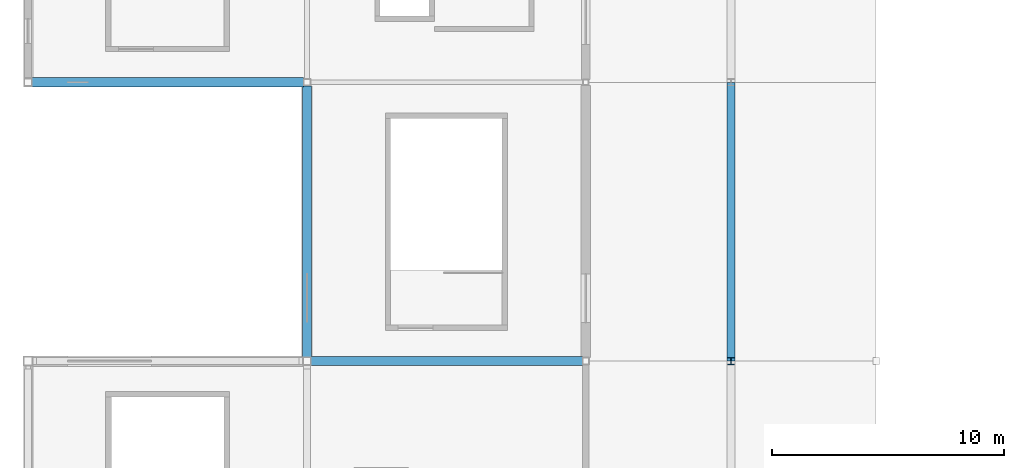
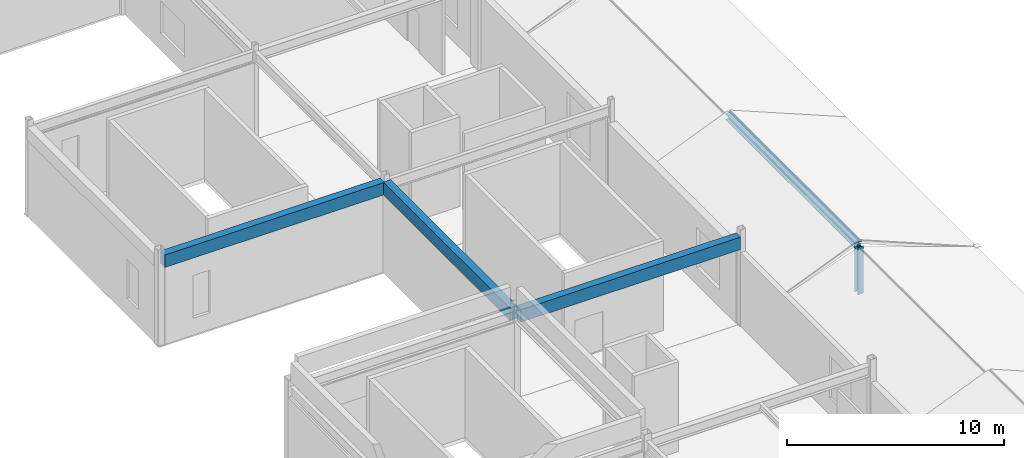
# One storey, part 31 of 76: 3 beams, 2 members.
"""IFC4 building model written with IfcOpenShell, lengths in metres."""

from ifc_helpers import new_model, si_unit, direction, frame, origin, origin_2d, place, context, subcontext, project, spatial, rectangle, i_section, extrude, material, material_profile, profile_set, type_object, element, save


model = new_model("IFC4")

# Units and contexts
model_context = context("Model", 3, precision=1e-05, world=origin(), true_north=direction((0.0, 1.0)))
body_context = subcontext(model_context, "Body", "Model", "MODEL_VIEW")
ifc_project = project(units=[si_unit("LENGTHUNIT", "METRE"), si_unit("AREAUNIT", "SQUARE_METRE"), si_unit("VOLUMEUNIT", "CUBIC_METRE"), si_unit("PLANEANGLEUNIT", "RADIAN"), si_unit("MASSUNIT", "GRAM", prefix="KILO")], contexts=[model_context])

# Site, building, storey
site_placement = place(None, origin())
site = spatial("IfcSite", under=ifc_project, at=site_placement, CompositionType="ELEMENT")
building_placement = place(site_placement, origin())
building = spatial("IfcBuilding", under=site, at=building_placement, Name="Kazenohara Klinker Stadium", CompositionType="ELEMENT")
storey_placement = place(building_placement, frame((0.0, 0.0, 25.800048828125)))
storey = spatial("IfcBuildingStorey", under=building, at=storey_placement, Name="L05", CompositionType="ELEMENT", Elevation=25.800048828125)

# Beams
ifc_material_1 = material(Name="Concrete C40/50", Category="concrete")
ifc_material_profile_1 = material_profile(ifc_material_1, rectangle(XDim=0.39990234375, YDim=0.699951171875, at=origin_2d()), Name="RC-BM-400x700")
ifc_profile_set_1 = profile_set([ifc_material_profile_1], Name="Concrete C40/50")
beam_type = type_object("IfcBeamType", Name="BM-RC04", PredefinedType="BEAM", material=ifc_profile_set_1)
for number, where, z_axis, x_axis, name in (
    (1, (0.175048828125, 108.0, 4.68994140625), (1.0, 0.0, 0.0), (0.0, 1.0, 0.0), "Primary girder BG04 L05 1-2/K"),
    (2, (12.175048828125, 96.0, 4.68994140625), (1.0, 0.0, 0.0), (0.0, 1.0, 0.0), "Primary girder BG04 L05 2-3/J"),
    (3, (12.0, 96.175048828125, 4.68994140625), (0.0, 1.0, 0.0), (-1.0, 0.0, 0.0), "Primary girder BG04 L05 2/J-K"),
):
    element("IfcBeam", number, at=place(storey_placement, frame(where, z_axis=z_axis, x_axis=x_axis)), inside=storey, type_object=beam_type, Name=name, PredefinedType="BEAM", context=body_context, shape_type="SweptSolid", body=[
        extrude(rectangle(XDim=0.39990234375, YDim=0.699951171875, at=origin_2d()), origin(), (0.0, 0.0, 1.0), 11.675048828125),
    ])

# Members
ifc_material_2 = material(Name="Steel S355", Category="steel")
ifc_material_profile_2 = material_profile(ifc_material_2, i_section(OverallWidth=0.35009765625, OverallDepth=0.35009765625, WebThickness=0.011962890625, FlangeThickness=0.01904296875, FilletRadius=0.012939453125, at=origin_2d()), Name="H-350x350x12x19")
ifc_profile_set_2 = profile_set([ifc_material_profile_2], Name="Steel S355")
member_type_1 = type_object("IfcMemberType", Name="MEM-CHD02", PredefinedType="CHORD", material=ifc_profile_set_2)
member_1_placement = place(storey_placement, frame((30.25, 96.0, 2.22998046875), z_axis=(0.0, 1.0, 0.0), x_axis=(-1.0, 0.0, 0.0)))
element("IfcMember", 4, at=member_1_placement, inside=storey, type_object=member_type_1, Name="Stepped pavilion gable ridge beam L05 3/J", PredefinedType="CHORD", context=body_context, shape_type="SweptSolid", body=[
    extrude(i_section(OverallWidth=0.35009765625, OverallDepth=0.35009765625, WebThickness=0.011962890625, FlangeThickness=0.01904296875, FilletRadius=0.012939453125, at=origin_2d()), origin(), (0.0, 0.0, 1.0), 12.0),
])
ifc_material_profile_3 = material_profile(ifc_material_2, i_section(OverallWidth=0.300048828125, OverallDepth=0.300048828125, WebThickness=0.010009765625, FlangeThickness=0.014892578125, FilletRadius=0.012939453125, at=origin_2d()), Name="H-300x300x10x15")
ifc_profile_set_3 = profile_set([ifc_material_profile_3], Name="Steel S355")
member_type_2 = type_object("IfcMemberType", Name="MEM-STR01", PredefinedType="STRUT", material=ifc_profile_set_3)
member_2_placement = place(storey_placement, frame((30.25, 96.0, -0.429931640625), z_axis=(0.0, 0.0, 1.0), x_axis=(1.0, 0.0, 0.0)))
element("IfcMember", 5, at=member_2_placement, inside=storey, type_object=member_type_2, Name="Stepped pavilion gable king-post L05 3/J S", PredefinedType="STRUT", context=body_context, shape_type="SweptSolid", body=[
    extrude(i_section(OverallWidth=0.300048828125, OverallDepth=0.300048828125, WebThickness=0.010009765625, FlangeThickness=0.014892578125, FilletRadius=0.012939453125, at=origin_2d()), origin(), (0.0, 0.0, 1.0), 2.659912109375),
])

save(model, "model.ifc")
